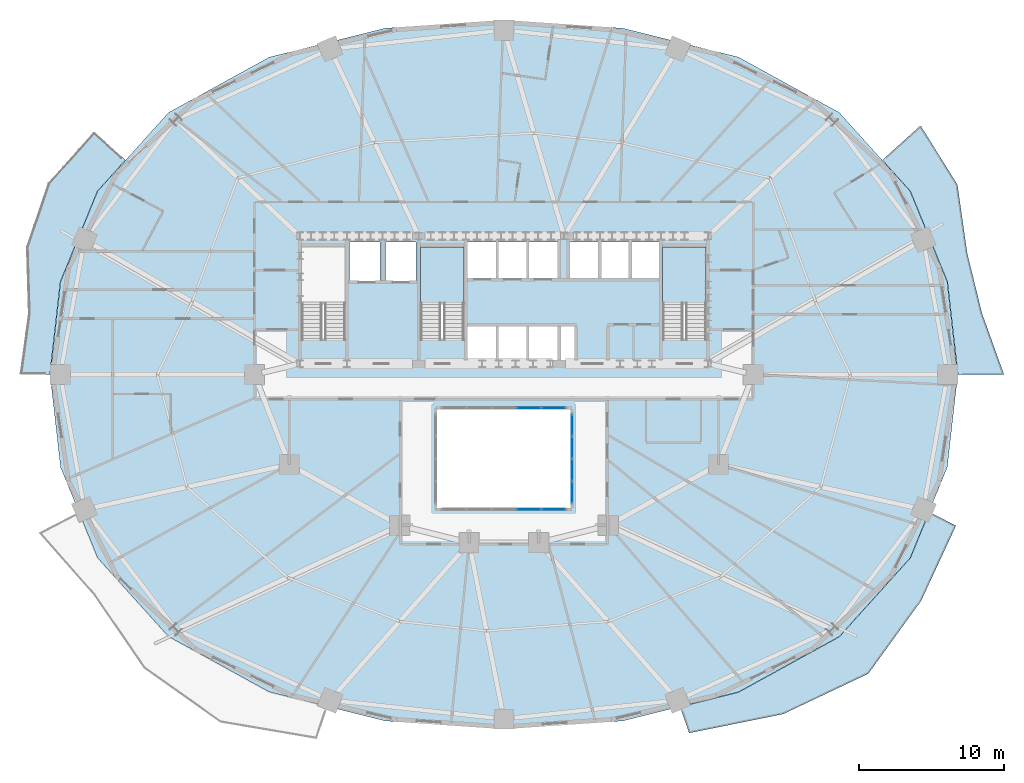
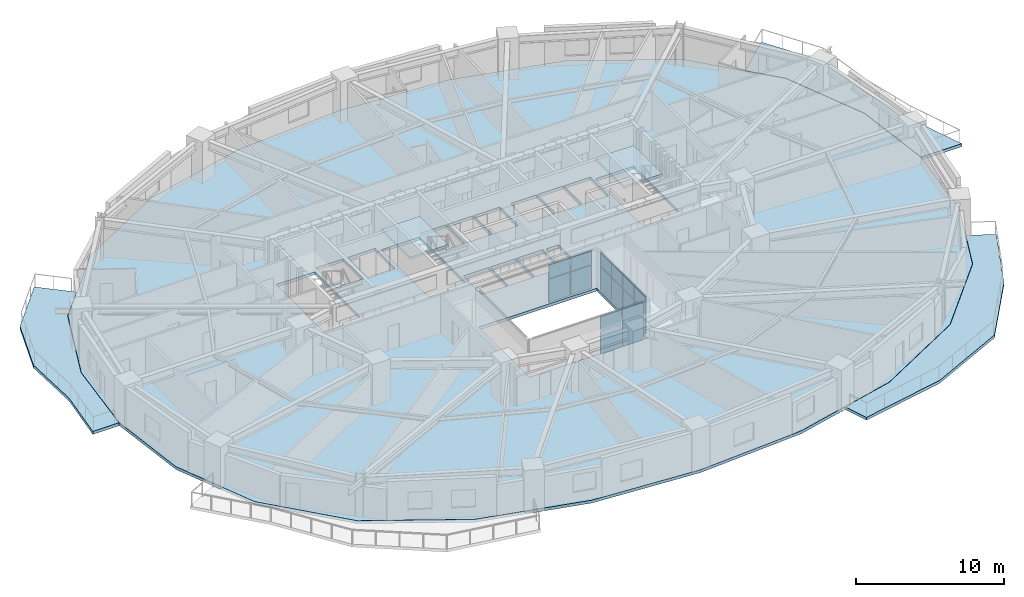
# One storey, part 8 of 18: 16 plates, 6 slabs, 5 elements without a shape of their own.
"""IFC4 building model written with IfcOpenShell, lengths in metres."""

from ifc_helpers import new_model, si_unit, direction, frame, origin, origin_2d, place, context, subcontext, project, spatial, polyline, rectangle, outline, extrude, material, layer, layer_set, type_object, element, aggregate, save


model = new_model("IFC4")

# Units and contexts
model_context = context("Model", 3, precision=1e-05, world=origin(), true_north=direction((0.0, 1.0)))
body_context = subcontext(model_context, "Body", "Model", "MODEL_VIEW")
ifc_project = project(units=[si_unit("LENGTHUNIT", "METRE"), si_unit("AREAUNIT", "SQUARE_METRE"), si_unit("VOLUMEUNIT", "CUBIC_METRE"), si_unit("PLANEANGLEUNIT", "RADIAN"), si_unit("MASSUNIT", "GRAM", prefix="KILO")], contexts=[model_context])

# Site, building, storey
site_placement = place(None, origin())
site = spatial("IfcSite", under=ifc_project, at=site_placement, CompositionType="ELEMENT")
building_placement = place(site_placement, origin())
building = spatial("IfcBuilding", under=site, at=building_placement, Name="Haldorwick Loom Tower", CompositionType="ELEMENT")
storey_placement = place(building_placement, frame((0.0, 0.0, 48.14990234375)))
storey = spatial("IfcBuildingStorey", under=building, at=storey_placement, Name="L12", CompositionType="ELEMENT", Elevation=48.14990234375)

# Curtain wall, plates
ifc_material_1 = material(Name="Thermally Broken Anodized Aluminium Curtain Wall Framing", Category="aluminium")
curtain_wall_type = type_object("IfcCurtainWallType", Name="ARC-CW-03", PredefinedType="NOTDEFINED", material=ifc_material_1)
curtain_wall_1_placement = place(storey_placement, origin())
curtain_wall_1 = element("IfcCurtainWall", 1, at=curtain_wall_1_placement, inside=storey, type_object=curtain_wall_type, Name="L12 Atrium Glazed Screen S", PredefinedType="NOTDEFINED")
ifc_material_2 = material(Name="Triple-Glazed Low-E Argon Insulated Glazing Unit", Category="glass")
ifc_layer_1 = layer(ifc_material_2, 0.04296875, Name="Triple-Glazed Low-E Argon Insulated Glazing Unit", Category="glass")
ifc_layer_set_1 = layer_set([ifc_layer_1], Name="Triple-Glazed Low-E Argon Insulated Glazing Unit")
plate_type = type_object("IfcPlateType", Name="ARC-CWP-03", PredefinedType="CURTAIN_PANEL", material=ifc_layer_set_1)
plate_1_placement = place(storey_placement, frame((39.423583984375, 16.699951171875, 0.066162109375), z_axis=(0.0, 0.0, 1.0), x_axis=(-1.0, 0.0, 0.0)))
plate_1 = element("IfcPlate", 2, at=plate_1_placement, type_object=plate_type, Name="CW-03 panel 1.1", PredefinedType="CURTAIN_PANEL", context=body_context, shape_type="SweptSolid", body=[
    extrude(rectangle(XDim=1.62109375, YDim=0.04296875, at=origin_2d()), origin(), (0.0, 0.0, 1.0), 1.90087890625),
])
plate_2_placement = place(storey_placement, frame((39.423583984375, 16.699951171875, 2.033203125), z_axis=(0.0, 0.0, 1.0), x_axis=(-1.0, 0.0, 0.0)))
plate_2 = element("IfcPlate", 3, at=plate_2_placement, type_object=plate_type, Name="CW-03 panel 1.2", PredefinedType="CURTAIN_PANEL", context=body_context, shape_type="SweptSolid", body=[
    extrude(rectangle(XDim=1.62109375, YDim=0.04296875, at=origin_2d()), origin(), (0.0, 0.0, 1.0), 1.111083984375),
])
plate_3_placement = place(storey_placement, frame((37.719970703125, 16.699951171875, 0.066162109375), z_axis=(0.0, 0.0, 1.0), x_axis=(-1.0, 0.0, 0.0)))
plate_3 = element("IfcPlate", 4, at=plate_3_placement, type_object=plate_type, Name="CW-03 panel 2.1", PredefinedType="CURTAIN_PANEL", context=body_context, shape_type="SweptSolid", body=[
    extrude(rectangle(XDim=1.654052734375, YDim=0.04296875, at=origin_2d()), origin(), (0.0, 0.0, 1.0), 1.90087890625),
])
plate_4_placement = place(storey_placement, frame((37.719970703125, 16.699951171875, 2.033203125), z_axis=(0.0, 0.0, 1.0), x_axis=(-1.0, 0.0, 0.0)))
plate_4 = element("IfcPlate", 5, at=plate_4_placement, type_object=plate_type, Name="CW-03 panel 2.2", PredefinedType="CURTAIN_PANEL", context=body_context, shape_type="SweptSolid", body=[
    extrude(rectangle(XDim=1.654052734375, YDim=0.04296875, at=origin_2d()), origin(), (0.0, 0.0, 1.0), 1.111083984375),
])
aggregate(curtain_wall_1, [plate_1, plate_2, plate_3, plate_4])

curtain_wall_2_placement = place(storey_placement, origin())
curtain_wall_2 = element("IfcCurtainWall", 6, at=curtain_wall_2_placement, inside=storey, type_object=curtain_wall_type, Name="L12 Atrium Glazed Screen N", PredefinedType="NOTDEFINED")
plate_5_placement = place(storey_placement, frame((37.719970703125, 23.699951171875, 0.066162109375), z_axis=(0.0, 0.0, 1.0), x_axis=(1.0, 0.0, 0.0)))
plate_5 = element("IfcPlate", 7, at=plate_5_placement, type_object=plate_type, Name="CW-03 panel 4.1", PredefinedType="CURTAIN_PANEL", context=body_context, shape_type="SweptSolid", body=[
    extrude(rectangle(XDim=1.654052734375, YDim=0.04296875, at=origin_2d()), origin(), (0.0, 0.0, 1.0), 1.90087890625),
])
plate_6_placement = place(storey_placement, frame((37.719970703125, 23.699951171875, 2.033203125), z_axis=(0.0, 0.0, 1.0), x_axis=(1.0, 0.0, 0.0)))
plate_6 = element("IfcPlate", 8, at=plate_6_placement, type_object=plate_type, Name="CW-03 panel 4.2", PredefinedType="CURTAIN_PANEL", context=body_context, shape_type="SweptSolid", body=[
    extrude(rectangle(XDim=1.654052734375, YDim=0.04296875, at=origin_2d()), origin(), (0.0, 0.0, 1.0), 1.111083984375),
])
plate_7_placement = place(storey_placement, frame((39.423583984375, 23.699951171875, 0.066162109375), z_axis=(0.0, 0.0, 1.0), x_axis=(1.0, 0.0, 0.0)))
plate_7 = element("IfcPlate", 9, at=plate_7_placement, type_object=plate_type, Name="CW-03 panel 5.1", PredefinedType="CURTAIN_PANEL", context=body_context, shape_type="SweptSolid", body=[
    extrude(rectangle(XDim=1.62109375, YDim=0.04296875, at=origin_2d()), origin(), (0.0, 0.0, 1.0), 1.90087890625),
])
plate_8_placement = place(storey_placement, frame((39.423583984375, 23.699951171875, 2.033203125), z_axis=(0.0, 0.0, 1.0), x_axis=(1.0, 0.0, 0.0)))
plate_8 = element("IfcPlate", 10, at=plate_8_placement, type_object=plate_type, Name="CW-03 panel 5.2", PredefinedType="CURTAIN_PANEL", context=body_context, shape_type="SweptSolid", body=[
    extrude(rectangle(XDim=1.62109375, YDim=0.04296875, at=origin_2d()), origin(), (0.0, 0.0, 1.0), 1.111083984375),
])
aggregate(curtain_wall_2, [plate_5, plate_6, plate_7, plate_8])

curtain_wall_3_placement = place(storey_placement, origin())
curtain_wall_3 = element("IfcCurtainWall", 11, at=curtain_wall_3_placement, inside=storey, type_object=curtain_wall_type, Name="L12 Atrium Glazed Screen E", PredefinedType="NOTDEFINED")
plate_9_placement = place(storey_placement, frame((40.699951171875, 22.508544921875, 0.066162109375), z_axis=(0.0, 0.0, 1.0), x_axis=(0.0, -1.0, 0.0)))
plate_9 = element("IfcPlate", 12, at=plate_9_placement, type_object=plate_type, Name="CW-03 panel 1.1", PredefinedType="CURTAIN_PANEL", context=body_context, shape_type="SweptSolid", body=[
    extrude(rectangle(XDim=1.450927734375, YDim=0.04296875, at=origin_2d()), origin(), (0.0, 0.0, 1.0), 1.90087890625),
])
plate_10_placement = place(storey_placement, frame((40.699951171875, 22.508544921875, 2.033203125), z_axis=(0.0, 0.0, 1.0), x_axis=(0.0, -1.0, 0.0)))
plate_10 = element("IfcPlate", 13, at=plate_10_placement, type_object=plate_type, Name="CW-03 panel 1.2", PredefinedType="CURTAIN_PANEL", context=body_context, shape_type="SweptSolid", body=[
    extrude(rectangle(XDim=1.450927734375, YDim=0.04296875, at=origin_2d()), origin(), (0.0, 0.0, 1.0), 1.111083984375),
])
plate_11_placement = place(storey_placement, frame((40.699951171875, 20.97509765625, 0.066162109375), z_axis=(0.0, 0.0, 1.0), x_axis=(0.0, -1.0, 0.0)))
plate_11 = element("IfcPlate", 14, at=plate_11_placement, type_object=plate_type, Name="CW-03 panel 2.1", PredefinedType="CURTAIN_PANEL", context=body_context, shape_type="SweptSolid", body=[
    extrude(rectangle(XDim=1.48388671875, YDim=0.04296875, at=origin_2d()), origin(), (0.0, 0.0, 1.0), 1.90087890625),
])
plate_12_placement = place(storey_placement, frame((40.699951171875, 20.97509765625, 2.033203125), z_axis=(0.0, 0.0, 1.0), x_axis=(0.0, -1.0, 0.0)))
plate_12 = element("IfcPlate", 15, at=plate_12_placement, type_object=plate_type, Name="CW-03 panel 2.2", PredefinedType="CURTAIN_PANEL", context=body_context, shape_type="SweptSolid", body=[
    extrude(rectangle(XDim=1.48388671875, YDim=0.04296875, at=origin_2d()), origin(), (0.0, 0.0, 1.0), 1.111083984375),
])
plate_13_placement = place(storey_placement, frame((40.699951171875, 19.425048828125, 0.066162109375), z_axis=(0.0, 0.0, 1.0), x_axis=(0.0, -1.0, 0.0)))
plate_13 = element("IfcPlate", 16, at=plate_13_placement, type_object=plate_type, Name="CW-03 panel 3.1", PredefinedType="CURTAIN_PANEL", context=body_context, shape_type="SweptSolid", body=[
    extrude(rectangle(XDim=1.48388671875, YDim=0.04296875, at=origin_2d()), origin(), (0.0, 0.0, 1.0), 1.90087890625),
])
plate_14_placement = place(storey_placement, frame((40.699951171875, 19.425048828125, 2.033203125), z_axis=(0.0, 0.0, 1.0), x_axis=(0.0, -1.0, 0.0)))
plate_14 = element("IfcPlate", 17, at=plate_14_placement, type_object=plate_type, Name="CW-03 panel 3.2", PredefinedType="CURTAIN_PANEL", context=body_context, shape_type="SweptSolid", body=[
    extrude(rectangle(XDim=1.48388671875, YDim=0.04296875, at=origin_2d()), origin(), (0.0, 0.0, 1.0), 1.111083984375),
])
plate_15_placement = place(storey_placement, frame((40.699951171875, 17.8916015625, 0.066162109375), z_axis=(0.0, 0.0, 1.0), x_axis=(0.0, -1.0, 0.0)))
plate_15 = element("IfcPlate", 18, at=plate_15_placement, type_object=plate_type, Name="CW-03 panel 4.1", PredefinedType="CURTAIN_PANEL", context=body_context, shape_type="SweptSolid", body=[
    extrude(rectangle(XDim=1.450927734375, YDim=0.04296875, at=origin_2d()), origin(), (0.0, 0.0, 1.0), 1.90087890625),
])
plate_16_placement = place(storey_placement, frame((40.699951171875, 17.8916015625, 2.033203125), z_axis=(0.0, 0.0, 1.0), x_axis=(0.0, -1.0, 0.0)))
plate_16 = element("IfcPlate", 19, at=plate_16_placement, type_object=plate_type, Name="CW-03 panel 4.2", PredefinedType="CURTAIN_PANEL", context=body_context, shape_type="SweptSolid", body=[
    extrude(rectangle(XDim=1.450927734375, YDim=0.04296875, at=origin_2d()), origin(), (0.0, 0.0, 1.0), 1.111083984375),
])
aggregate(curtain_wall_3, [plate_9, plate_10, plate_11, plate_12, plate_13, plate_14, plate_15, plate_16])

# Slabs
ifc_material_3 = material(Name="Concrete C40 (40 MPa)", Category="concrete")
ifc_layer_2 = layer(ifc_material_3, 0.239990234375, Name="Concrete C40 (40 MPa)", Category="concrete")
ifc_layer_set_2 = layer_set([ifc_layer_2], Name="Concrete C40 (40 MPa)")
slab_type_1 = type_object("IfcSlabType", Name="STR-SLB-BAL240", PredefinedType="FLOOR", material=ifc_layer_set_2)
slab_1_placement = place(storey_placement, frame((0.0, 0.0, -0.239990234375)))
element("IfcSlab", 20, at=slab_1_placement, inside=storey, type_object=slab_type_1, Name="L12 Sinusoidal Balcony Terrace BAL_SE", PredefinedType="FLOOR", context=body_context, shape_type="SweptSolid", body=[
    extrude(outline(polyline([(65.32470703125, 16.51806640625), (64.031494140625, 13.356689453125), (64.031005859375, 13.355712890625), (64.030517578125, 13.3544921875), (64.02978515625, 13.353515625), (64.02880859375, 13.3525390625), (59.13623046875, 7.92333984375), (59.13525390625, 7.922119140625), (59.1337890625, 7.921142578125), (59.13232421875, 7.92041015625), (52.18310546875, 4.09814453125), (52.18212890625, 4.097412109375), (52.180908203125, 4.096923828125), (52.1796875, 4.0966796875), (48.1533203125, 3.09130859375), (48.771240234375, 1.279541015625), (55.254638671875, 2.591552734375), (61.126220703125, 5.372314453125), (64.769775390625, 10.39892578125), (67.172119140625, 15.580322265625), (65.32470703125, 16.51806640625)])), origin(), (0.0, 0.0, 1.0), 0.239990234375),
])
slab_2_placement = place(storey_placement, frame((0.0, 0.0, -0.239990234375)))
element("IfcSlab", 21, at=slab_2_placement, inside=storey, type_object=slab_type_1, Name="L12 Sinusoidal Balcony Terrace BAL_WNW", PredefinedType="FLOOR", context=body_context, shape_type="SweptSolid", body=[
    extrude(outline(polyline([(4.68896484375, 26.0), (4.689208984375, 26.001708984375), (5.41552734375, 32.40087890625), (5.415771484375, 32.40234375), (5.416015625, 32.40380859375), (5.41650390625, 32.405029296875), (7.968505859375, 38.643310546875), (7.968994140625, 38.644287109375), (7.969482421875, 38.6455078125), (7.97021484375, 38.646484375), (7.97119140625, 38.6474609375), (9.9013671875, 40.78955078125), (7.724853515625, 42.747314453125), (4.57177734375, 39.202392578125), (3.07373046875, 34.795654296875), (3.20849609375, 30.195556640625), (2.63232421875, 26.0), (4.68896484375, 26.0)])), origin(), (0.0, 0.0, 1.0), 0.239990234375),
])
slab_3_placement = place(storey_placement, frame((0.0, 0.0, -0.239990234375)))
element("IfcSlab", 22, at=slab_3_placement, inside=storey, type_object=slab_type_1, Name="L12 Sinusoidal Balcony Terrace BAL_ENE", PredefinedType="FLOOR", context=body_context, shape_type="SweptSolid", body=[
    extrude(outline(polyline([(62.098388671875, 40.789794921875), (64.02880859375, 38.6474609375), (64.02978515625, 38.646484375), (64.030517578125, 38.6455078125), (64.031005859375, 38.644287109375), (64.031494140625, 38.643310546875), (66.58349609375, 32.405029296875), (66.583984375, 32.40380859375), (66.584228515625, 32.40234375), (66.58447265625, 32.40087890625), (67.310791015625, 26.001708984375), (67.31103515625, 26.0), (70.484375, 26.0), (68.962646484375, 30.230224609375), (67.945556640625, 34.3876953125), (67.270263671875, 39.09912109375), (64.729248046875, 43.16943359375), (62.098388671875, 40.789794921875)])), origin(), (0.0, 0.0, 1.0), 0.239990234375),
])

# Stair, slab
stair_type = type_object("IfcStairType", Name="STR-STR-CORE", PredefinedType="HALF_TURN_STAIR", material=ifc_material_3)
stair_1_placement = place(storey_placement, origin())
stair_1 = element("IfcStair", 23, at=stair_1_placement, inside=storey, type_object=stair_type, Name="L12 Exit Stair ST-02", PredefinedType="HALF_TURN_STAIR")
ifc_layer_3 = layer(ifc_material_3, 0.199951171875, Name="Concrete C40 (40 MPa)", Category="concrete")
ifc_layer_set_3 = layer_set([ifc_layer_3], Name="Concrete C40 (40 MPa)")
slab_type_2 = type_object("IfcSlabType", Name="STR-SLB-LAND200", PredefinedType="LANDING", material=ifc_layer_set_3)
slab_4_placement = place(storey_placement, frame((0.0, 0.0, 1.525146484375)))
slab_4 = element("IfcSlab", 24, at=slab_4_placement, type_object=slab_type_2, Name="ST-02 landing 1", PredefinedType="LANDING", context=body_context, shape_type="SweptSolid", body=[
    extrude(outline(polyline([(49.949951171875, 30.919921875), (49.949951171875, 34.800048828125), (46.949951171875, 34.800048828125), (46.949951171875, 30.919921875), (49.949951171875, 30.919921875)])), origin(), (0.0, 0.0, 1.0), 0.199951171875),
])
aggregate(stair_1, [slab_4])

stair_2_placement = place(storey_placement, origin())
stair_2 = element("IfcStair", 25, at=stair_2_placement, inside=storey, type_object=stair_type, Name="L12 Exit Stair ST-03", PredefinedType="HALF_TURN_STAIR")
slab_5_placement = place(storey_placement, frame((0.0, 0.0, 1.525146484375)))
slab_5 = element("IfcSlab", 26, at=slab_5_placement, type_object=slab_type_2, Name="ST-03 landing 1", PredefinedType="LANDING", context=body_context, shape_type="SweptSolid", body=[
    extrude(outline(polyline([(33.25, 30.919921875), (33.25, 34.800048828125), (30.25, 34.800048828125), (30.25, 30.919921875), (33.25, 30.919921875)])), origin(), (0.0, 0.0, 1.0), 0.199951171875),
])
aggregate(stair_2, [slab_5])

# Slab
ifc_layer_4 = layer(ifc_material_3, 0.239990234375, Name="Concrete C40 (40 MPa)", Category="concrete")
ifc_layer_set_4 = layer_set([ifc_layer_4], Name="Concrete C40 (40 MPa)")
slab_type_3 = type_object("IfcSlabType", Name="STR-SLB-RES240", PredefinedType="FLOOR", material=ifc_layer_set_4)
slab_6_placement = place(storey_placement, frame((0.0, 0.0, -0.239990234375)))
element("IfcSlab", 27, at=slab_6_placement, inside=storey, type_object=slab_type_3, Name="L12 Residential Structural Floor Slab", PredefinedType="FLOOR", context=body_context, shape_type="SweptSolid", body=[
    extrude(outline(polyline([(59.125244140625, 7.933349609375), (64.017578125, 13.362548828125), (66.569580078125, 19.6005859375), (67.2958984375, 26.0), (66.569580078125, 32.3994140625), (64.017578125, 38.637451171875), (59.125244140625, 44.066650390625), (52.176025390625, 47.888916015625), (44.191162109375, 49.882568359375), (36.0, 50.449951171875), (27.808837890625, 49.882568359375), (19.823974609375, 47.888916015625), (12.874755859375, 44.066650390625), (7.982421875, 38.637451171875), (5.430419921875, 32.3994140625), (4.7041015625, 26.0), (5.430419921875, 19.6005859375), (7.982421875, 13.362548828125), (12.874755859375, 7.933349609375), (19.823974609375, 4.111083984375), (27.808837890625, 2.117431640625), (36.0, 1.550048828125), (44.191162109375, 2.117431640625), (52.176025390625, 4.111083984375), (59.125244140625, 7.933349609375)]), holes=[polyline([(31.39990234375, 23.60009765625), (40.60009765625, 23.60009765625), (40.60009765625, 16.800048828125), (31.39990234375, 16.800048828125), (31.39990234375, 23.60009765625)]), polyline([(33.5, 26.85009765625), (33.5, 29.35009765625), (35.5, 29.35009765625), (35.5, 26.85009765625), (33.5, 26.85009765625)]), polyline([(22.050048828125, 28.39990234375), (22.050048828125, 34.800048828125), (25.050048828125, 34.800048828125), (25.050048828125, 28.639892578125), (23.6201171875, 28.639892578125), (23.6201171875, 28.39990234375), (22.050048828125, 28.39990234375)]), polyline([(30.25, 28.39990234375), (30.25, 34.800048828125), (33.25, 34.800048828125), (33.25, 28.639892578125), (31.820068359375, 28.639892578125), (31.820068359375, 28.39990234375), (30.25, 28.39990234375)]), polyline([(25.35009765625, 32.449951171875), (25.35009765625, 35.14990234375), (27.449951171875, 35.14990234375), (27.449951171875, 32.449951171875), (25.35009765625, 32.449951171875)]), polyline([(27.85009765625, 32.449951171875), (27.85009765625, 35.14990234375), (29.949951171875, 35.14990234375), (29.949951171875, 32.449951171875), (27.85009765625, 32.449951171875)]), polyline([(33.5, 32.64990234375), (33.5, 35.14990234375), (35.5, 35.14990234375), (35.5, 32.64990234375), (33.5, 32.64990234375)]), polyline([(35.60009765625, 32.64990234375), (35.60009765625, 35.14990234375), (37.60009765625, 35.14990234375), (37.60009765625, 32.64990234375), (35.60009765625, 32.64990234375)]), polyline([(35.60009765625, 26.85009765625), (35.60009765625, 29.35009765625), (37.60009765625, 29.35009765625), (37.60009765625, 26.85009765625), (35.60009765625, 26.85009765625)]), polyline([(37.699951171875, 26.85009765625), (37.699951171875, 29.35009765625), (39.699951171875, 29.35009765625), (39.699951171875, 26.85009765625), (37.699951171875, 26.85009765625)]), polyline([(39.89990234375, 26.89990234375), (39.89990234375, 29.300048828125), (40.89990234375, 29.300048828125), (40.89990234375, 26.89990234375), (39.89990234375, 26.89990234375)]), polyline([(46.949951171875, 28.39990234375), (46.949951171875, 34.800048828125), (49.949951171875, 34.800048828125), (49.949951171875, 28.639892578125), (48.52001953125, 28.639892578125), (48.52001953125, 28.39990234375), (46.949951171875, 28.39990234375)]), polyline([(37.699951171875, 32.64990234375), (37.699951171875, 35.14990234375), (39.699951171875, 35.14990234375), (39.699951171875, 32.64990234375), (37.699951171875, 32.64990234375)]), polyline([(40.550048828125, 32.64990234375), (40.550048828125, 35.14990234375), (42.550048828125, 35.14990234375), (42.550048828125, 32.64990234375), (40.550048828125, 32.64990234375)]), polyline([(42.64990234375, 32.64990234375), (42.64990234375, 35.14990234375), (44.64990234375, 35.14990234375), (44.64990234375, 32.64990234375), (42.64990234375, 32.64990234375)]), polyline([(44.75, 32.64990234375), (44.75, 35.14990234375), (46.75, 35.14990234375), (46.75, 32.64990234375), (44.75, 32.64990234375)])]), origin(), (0.0, 0.0, 1.0), 0.239990234375),
])

save(model, "model.ifc")
